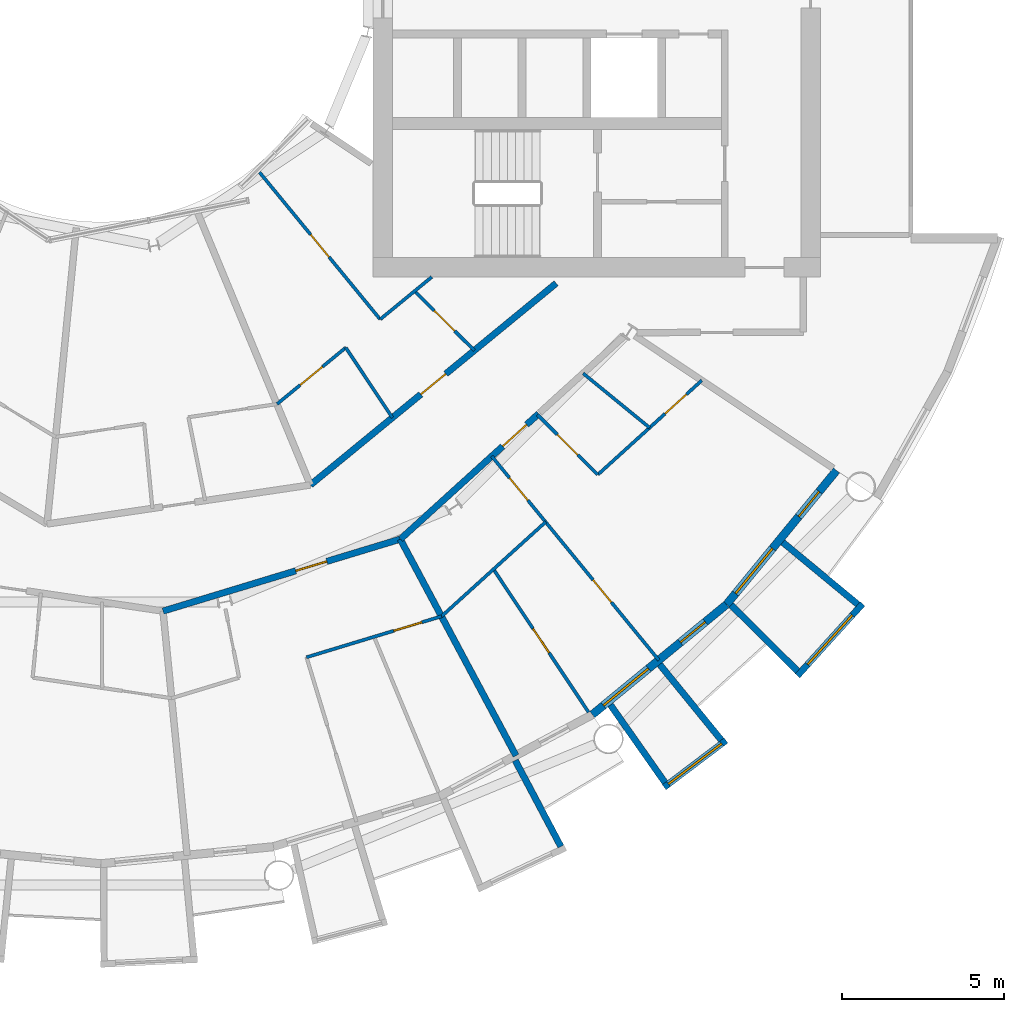
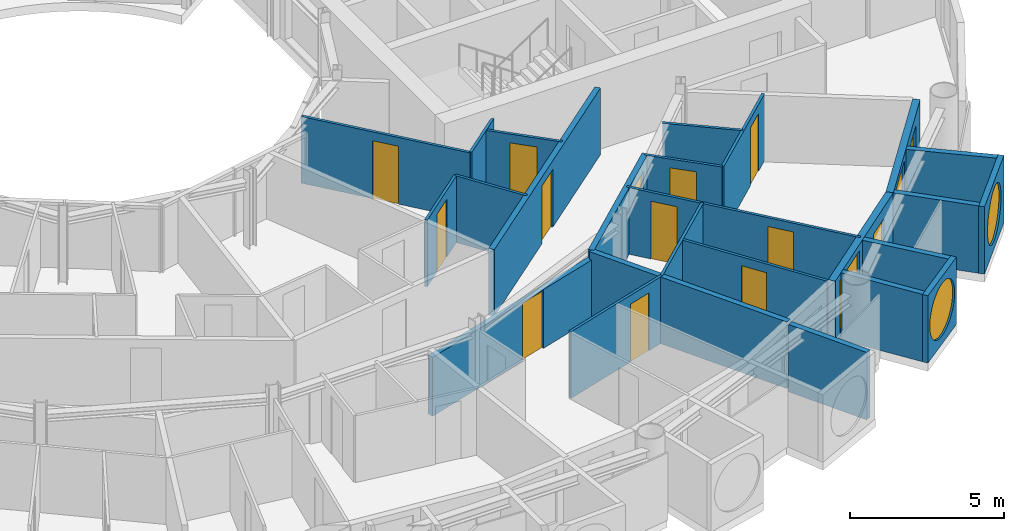
# One storey, part 17 of 27: 25 walls, 14 doors, 4 windows, 18 openings.
"""IFC4 building model written with IfcOpenShell, lengths in metres."""

from ifc_helpers import new_model, si_unit, direction, frame, frame_2d, origin, place, context, subcontext, project, spatial, rectangle, circle, extrude, material, layer, layer_set, type_object, element, fill, save


model = new_model("IFC4")

# Units and contexts
model_context = context("Model", 3, precision=1e-05, world=origin(), true_north=direction((0.0, 1.0)))
body_context = subcontext(model_context, "Body", "Model", "MODEL_VIEW")
ifc_project = project(units=[si_unit("LENGTHUNIT", "METRE"), si_unit("AREAUNIT", "SQUARE_METRE"), si_unit("VOLUMEUNIT", "CUBIC_METRE"), si_unit("PLANEANGLEUNIT", "RADIAN"), si_unit("MASSUNIT", "GRAM", prefix="KILO")], contexts=[model_context])

# Site, building, storey
site_placement = place(None, origin())
site = spatial("IfcSite", under=ifc_project, at=site_placement, CompositionType="ELEMENT")
building_placement = place(site_placement, origin())
building = spatial("IfcBuilding", under=site, at=building_placement, Name="Maasbend Ring Residences", CompositionType="ELEMENT")
storey_placement = place(building_placement, frame((0.0, 0.0, 136.050048828125)))
storey = spatial("IfcBuildingStorey", under=building, at=storey_placement, Name="L39", CompositionType="ELEMENT", Elevation=136.050048828125)

# Wall, opening, door
ifc_material_1 = material(Name="Concrete C30/37", Category="concrete")
ifc_layer_1 = layer(ifc_material_1, 0.199951171875)
ifc_layer_set_1 = layer_set([ifc_layer_1], Name="Concrete C30/37")
wall_type_1 = type_object("IfcWallType", Name="CORRIDOR WALL 200 CONCRETE", PredefinedType="PARTITIONING", material=ifc_layer_set_1)
wall_1_placement = place(storey_placement, frame((1.9208984375, -19.506103515625, 0.0), z_axis=(0.0, 0.0, 1.0), x_axis=(0.956929842753, 0.290319265721, 0.0)))
wall_1 = element("IfcWall", 1, at=wall_1_placement, inside=storey, type_object=wall_type_1, Name="U-L39-w011", PredefinedType="PARTITIONING", context=body_context, shape_type="SweptSolid", body=[
    extrude(rectangle(XDim=7.6474609375, YDim=0.199951171875, at=frame_2d((3.82373046875, 0.0))), origin(), (0.0, 0.0, 1.0), 2.33984375),
])
opening_1_placement = place(wall_1_placement, frame((4.280029296875, 0.0, 0.0)))
opening_1 = element("IfcOpeningElement", 2, at=opening_1_placement, cuts=wall_1, Name="Opening D-3949", PredefinedType="OPENING", context=body_context, shape_type="SweptSolid", body=[
    extrude(rectangle(XDim=1.0, YDim=2.300048828125, at=frame_2d((0.5, 1.14990234375))), frame((0.0, 0.10986328125, 0.0), z_axis=(0.0, -1.0, 0.0), x_axis=(1.0, 0.0, 0.0)), (0.0, 0.0, 1.0), 0.219970703125),
])
ifc_material_2 = material(Name="Timber, fire-rated, painted", Category="wood")
door_type_1 = type_object("IfcDoorType", Name="FLAT ENTRANCE DOOR 1000 X 2300 FIRE-RATED", OperationType="NOTDEFINED", PredefinedType="DOOR", material=ifc_material_2)
door_1_placement = place(opening_1_placement, origin())
door_1 = element("IfcDoor", 3, at=door_1_placement, inside=storey, type_object=door_type_1, Name="D-3949", OperationType="SINGLE_SWING_RIGHT", OverallHeight=2.300048828125, OverallWidth=1.0, PredefinedType="DOOR", context=body_context, shape_type="SweptSolid", body=[
    extrude(rectangle(XDim=1.0, YDim=2.300048828125, at=frame_2d((0.5, 1.14990234375))), frame((0.0, 0.02490234375, 0.0), z_axis=(0.0, -1.0, 0.0), x_axis=(1.0, 0.0, 0.0)), (0.0, 0.0, 1.0), 0.050048828125),
])
fill(opening_1, door_1)

wall_2_placement = place(storey_placement, frame((9.2490234375, -17.281982421875, 0.0), z_axis=(0.0, 0.0, 1.0), x_axis=(0.740525495356, 0.672028266316, 0.0)))
wall_2 = element("IfcWall", 4, at=wall_2_placement, inside=storey, type_object=wall_type_1, Name="U-L39-w013", PredefinedType="PARTITIONING", context=body_context, shape_type="SweptSolid", body=[
    extrude(rectangle(XDim=5.752685546875, YDim=0.199951171875, at=frame_2d((2.87646484375, 0.0))), origin(), (0.0, 0.0, 1.0), 2.64990234375),
])
opening_2_placement = place(wall_2_placement, frame((4.2529296875, 0.0, 0.0)))
opening_2 = element("IfcOpeningElement", 5, at=opening_2_placement, cuts=wall_2, Name="Opening D-3953", PredefinedType="OPENING", context=body_context, shape_type="SweptSolid", body=[
    extrude(rectangle(XDim=1.0, YDim=2.300048828125, at=frame_2d((0.5, 1.14990234375))), frame((0.0, 0.10986328125, 0.0), z_axis=(0.0, -1.0, 0.0), x_axis=(1.0, 0.0, 0.0)), (0.0, 0.0, 1.0), 0.219970703125),
])
door_2_placement = place(opening_2_placement, origin())
door_2 = element("IfcDoor", 6, at=door_2_placement, inside=storey, type_object=door_type_1, Name="D-3953", OperationType="SINGLE_SWING_RIGHT", OverallHeight=2.300048828125, OverallWidth=1.0, PredefinedType="DOOR", context=body_context, shape_type="SweptSolid", body=[
    extrude(rectangle(XDim=1.0, YDim=2.300048828125, at=frame_2d((0.5, 1.14990234375))), frame((0.0, 0.02490234375, 0.0), z_axis=(0.0, -1.0, 0.0), x_axis=(1.0, 0.0, 0.0)), (0.0, 0.0, 1.0), 0.050048828125),
])
fill(opening_2, door_2)

wall_3_placement = place(storey_placement, frame((6.467041015625, -15.614013671875, 0.0), z_axis=(0.0, 0.0, 1.0), x_axis=(0.773074935257, 0.634314704605, 0.0)))
wall_3 = element("IfcWall", 7, at=wall_3_placement, inside=storey, type_object=wall_type_1, Name="U-L39-w017", PredefinedType="PARTITIONING", context=body_context, shape_type="SweptSolid", body=[
    extrude(rectangle(XDim=9.808837890625, YDim=0.199951171875, at=frame_2d((4.904296875, 0.0))), origin(), (0.0, 0.0, 1.0), 2.64990234375),
])
opening_3_placement = place(wall_3_placement, frame((4.406982421875, 0.0, 0.0)))
opening_3 = element("IfcOpeningElement", 8, at=opening_3_placement, cuts=wall_3, Name="Opening D-3967", PredefinedType="OPENING", context=body_context, shape_type="SweptSolid", body=[
    extrude(rectangle(XDim=1.0, YDim=2.300048828125, at=frame_2d((0.5, 1.14990234375))), frame((0.0, 0.10986328125, 0.0), z_axis=(0.0, -1.0, 0.0), x_axis=(1.0, 0.0, 0.0)), (0.0, 0.0, 1.0), 0.219970703125),
])
door_3_placement = place(opening_3_placement, origin())
door_3 = element("IfcDoor", 9, at=door_3_placement, inside=storey, type_object=door_type_1, Name="D-3967", OperationType="SINGLE_SWING_RIGHT", OverallHeight=2.300048828125, OverallWidth=1.0, PredefinedType="DOOR", context=body_context, shape_type="SweptSolid", body=[
    extrude(rectangle(XDim=1.0, YDim=2.300048828125, at=frame_2d((0.5, 1.14990234375))), frame((0.0, 0.02490234375, 0.0), z_axis=(0.0, -1.0, 0.0), x_axis=(1.0, 0.0, 0.0)), (0.0, 0.0, 1.0), 0.050048828125),
])
fill(opening_3, door_3)

# Wall
ifc_material_3 = material(Name="Pale anodised aluminium panel", Category="aluminium")
ifc_layer_2 = layer(ifc_material_3, 0.199951171875)
ifc_layer_set_2 = layer_set([ifc_layer_2], Name="EW-BOX")
wall_type_2 = type_object("IfcWallType", Name="EW-BOX", PredefinedType="SOLIDWALL", material=ifc_layer_set_2)
wall_4_placement = place(storey_placement, frame((12.787109375, -24.113037109375, -0.030029296875), z_axis=(0.0, 0.0, 1.0), x_axis=(0.468365282436, -0.883534924159, 0.0)))
element("IfcWall", 10, at=wall_4_placement, inside=storey, type_object=wall_type_2, Name="Box side wall S15 right", PredefinedType="SOLIDWALL", context=body_context, shape_type="SweptSolid", body=[
    extrude(rectangle(XDim=3.006103515625, YDim=0.199951171875, at=frame_2d((1.5029296875, 0.0))), origin(), (0.0, 0.0, 1.0), 2.679931640625),
])

# Wall, opening, window
wall_5_placement = place(storey_placement, frame((17.382080078125, -24.93994140625, -0.030029296875), z_axis=(0.0, 0.0, 1.0), x_axis=(0.797456837111, 0.603375996329, 0.0)))
wall_5 = element("IfcWall", 11, at=wall_5_placement, inside=storey, type_object=wall_type_2, Name="Box front S17", PredefinedType="SOLIDWALL", context=body_context, shape_type="SweptSolid", body=[
    extrude(rectangle(XDim=2.391357421875, YDim=0.199951171875, at=frame_2d((1.19580078125, 0.0))), origin(), (0.0, 0.0, 1.0), 2.679931640625),
])
opening_4_placement = place(wall_5_placement, frame((0.15576171875, 0.0, 0.330078125)))
opening_4 = element("IfcOpeningElement", 12, at=opening_4_placement, cuts=wall_5, Name="Opening W-RD", PredefinedType="OPENING", context=body_context, shape_type="SweptSolid", body=[
    extrude(circle(Radius=1.0400390625, at=frame_2d((1.0400390625, 1.0400390625))), frame((0.0, 0.10986328125, 0.0), z_axis=(0.0, -1.0, 0.0), x_axis=(1.0, 0.0, 0.0)), (0.0, 0.0, 1.0), 0.219970703125),
])
ifc_material_4 = material(Name="Aluminium and clear glass", Category="aluminium")
window_type_1 = type_object("IfcWindowType", Name="W-RD", PartitioningType="SINGLE_PANEL", PredefinedType="WINDOW", material=ifc_material_4)
window_1_placement = place(opening_4_placement, origin())
window_1 = element("IfcWindow", 13, at=window_1_placement, inside=storey, type_object=window_type_1, Name="Round window S17", OverallHeight=2.080078125, OverallWidth=2.080078125, PartitioningType="SINGLE_PANEL", PredefinedType="WINDOW", context=body_context, shape_type="SweptSolid", body=[
    extrude(circle(Radius=1.0400390625, at=frame_2d((1.0400390625, 1.0400390625))), frame((0.0, 0.030029296875, 0.0), z_axis=(0.0, -1.0, 0.0), x_axis=(1.0, 0.0, 0.0)), (0.0, 0.0, 1.0), 0.06005859375),
])
fill(opening_4, window_1)

# Walls
wall_6_placement = place(storey_placement, frame((15.72607421875, -22.402099609375, -0.030029296875), z_axis=(0.0, 0.0, 1.0), x_axis=(0.574826383135, -0.818275399393, 0.0)))
element("IfcWall", 14, at=wall_6_placement, inside=storey, type_object=wall_type_2, Name="Box side wall S17 left", PredefinedType="SOLIDWALL", context=body_context, shape_type="SweptSolid", body=[
    extrude(rectangle(XDim=2.92919921875, YDim=0.199951171875, at=frame_2d((1.464599609375, 0.0))), origin(), (0.0, 0.0, 1.0), 2.679931640625),
])
wall_7_placement = place(storey_placement, frame((17.24609375, -21.155029296875, -0.030029296875), z_axis=(0.0, 0.0, 1.0), x_axis=(0.631741648902, -0.775179004516, 0.0)))
element("IfcWall", 15, at=wall_7_placement, inside=storey, type_object=wall_type_2, Name="Box side wall S17 right", PredefinedType="SOLIDWALL", context=body_context, shape_type="SweptSolid", body=[
    extrude(rectangle(XDim=3.005859375, YDim=0.199951171875, at=frame_2d((1.5029296875, 0.0))), origin(), (0.0, 0.0, 1.0), 2.679931640625),
])

# Wall, opening, window
wall_8_placement = place(storey_placement, frame((21.492919921875, -21.5, -0.030029296875), z_axis=(0.0, 0.0, 1.0), x_axis=(0.671506829416, 0.740998365753, 0.0)))
wall_8 = element("IfcWall", 16, at=wall_8_placement, inside=storey, type_object=wall_type_2, Name="Box front S19", PredefinedType="SOLIDWALL", context=body_context, shape_type="SweptSolid", body=[
    extrude(rectangle(XDim=2.9931640625, YDim=0.199951171875, at=frame_2d((1.49658203125, 0.0))), origin(), (0.0, 0.0, 1.0), 2.679931640625),
])
opening_5_placement = place(wall_8_placement, frame((0.45654296875, 0.0, 0.330078125)))
opening_5 = element("IfcOpeningElement", 17, at=opening_5_placement, cuts=wall_8, Name="Opening W-RD", PredefinedType="OPENING", context=body_context, shape_type="SweptSolid", body=[
    extrude(circle(Radius=1.0400390625, at=frame_2d((1.0400390625, 1.0400390625))), frame((0.0, 0.10986328125, 0.0), z_axis=(0.0, -1.0, 0.0), x_axis=(1.0, 0.0, 0.0)), (0.0, 0.0, 1.0), 0.219970703125),
])
window_2_placement = place(opening_5_placement, origin())
window_2 = element("IfcWindow", 18, at=window_2_placement, inside=storey, type_object=window_type_1, Name="Round window S19", OverallHeight=2.080078125, OverallWidth=2.080078125, PartitioningType="SINGLE_PANEL", PredefinedType="WINDOW", context=body_context, shape_type="SweptSolid", body=[
    extrude(circle(Radius=1.0400390625, at=frame_2d((1.0400390625, 1.0400390625))), frame((0.0, 0.030029296875, 0.0), z_axis=(0.0, -1.0, 0.0), x_axis=(1.0, 0.0, 0.0)), (0.0, 0.0, 1.0), 0.06005859375),
])
fill(opening_5, window_2)

# Walls
wall_9_placement = place(storey_placement, frame((19.449951171875, -19.322998046875, -0.030029296875), z_axis=(0.0, 0.0, 1.0), x_axis=(0.709727076896, -0.704476739375, 0.0)))
element("IfcWall", 19, at=wall_9_placement, inside=storey, type_object=wall_type_2, Name="Box side wall S19 left", PredefinedType="SOLIDWALL", context=body_context, shape_type="SweptSolid", body=[
    extrude(rectangle(XDim=2.883056640625, YDim=0.199951171875, at=frame_2d((1.44140625, 0.0))), origin(), (0.0, 0.0, 1.0), 2.679931640625),
])
wall_10_placement = place(storey_placement, frame((21.041015625, -17.384033203125, -0.030029296875), z_axis=(0.0, 0.0, 1.0), x_axis=(0.770784861449, -0.63709551667, 0.0)))
element("IfcWall", 20, at=wall_10_placement, inside=storey, type_object=wall_type_2, Name="Box side wall S19 right", PredefinedType="SOLIDWALL", context=body_context, shape_type="SweptSolid", body=[
    extrude(rectangle(XDim=3.005859375, YDim=0.199951171875, at=frame_2d((1.5029296875, 0.0))), origin(), (0.0, 0.0, 1.0), 2.679931640625),
])

# Wall, openings, door, window
ifc_material_5 = material(Name="Aluminium clad insulated panel", Category="aluminium")
ifc_layer_3 = layer(ifc_material_5, 0.25)
ifc_layer_set_3 = layer_set([ifc_layer_3], Name="EW-GL")
wall_type_3 = type_object("IfcWallType", Name="EW-GL", PredefinedType="SOLIDWALL", material=ifc_layer_set_3)
wall_11_placement = place(storey_placement, frame((15.1669921875, -22.698974609375, 0.0), z_axis=(0.0, 0.0, 1.0), x_axis=(0.773019449054, 0.634382322723, 0.0)))
wall_11 = element("IfcWall", 21, at=wall_11_placement, inside=storey, type_object=wall_type_3, Name="External wall S09", PredefinedType="SOLIDWALL", context=body_context, shape_type="SweptSolid", body=[
    extrude(rectangle(XDim=5.351806640625, YDim=0.25, at=frame_2d((2.67578125, 0.0))), origin(), (0.0, 0.0, 1.0), 2.64990234375),
])
opening_6_placement = place(wall_11_placement, frame((0.441162109375, 0.0, 0.300048828125)))
opening_6 = element("IfcOpeningElement", 22, at=opening_6_placement, cuts=wall_11, Name="Opening W-BX", PredefinedType="OPENING", context=body_context, shape_type="SweptSolid", body=[
    extrude(rectangle(XDim=1.800048828125, YDim=2.10009765625, at=frame_2d((0.89990234375, 1.050048828125))), frame((0.0, 0.135009765625, 0.0), z_axis=(0.0, -1.0, 0.0), x_axis=(1.0, 0.0, 0.0)), (0.0, 0.0, 1.0), 0.27001953125),
])
opening_7_placement = place(wall_11_placement, frame((3.510498046875, 0.0, 0.0)))
opening_7 = element("IfcOpeningElement", 23, at=opening_7_placement, cuts=wall_11, Name="Opening D-LG", PredefinedType="OPENING", context=body_context, shape_type="SweptSolid", body=[
    extrude(rectangle(XDim=1.0, YDim=2.199951171875, at=frame_2d((0.5, 1.10009765625))), frame((0.0, 0.135009765625, 0.0), z_axis=(0.0, -1.0, 0.0), x_axis=(1.0, 0.0, 0.0)), (0.0, 0.0, 1.0), 0.27001953125),
])
ifc_material_6 = material(Name="Aluminium and clear glass", Category="aluminium")
door_type_2 = type_object("IfcDoorType", Name="D-LG", OperationType="SINGLE_SWING_LEFT", PredefinedType="DOOR", material=ifc_material_6)
door_4_placement = place(opening_7_placement, origin())
door_4 = element("IfcDoor", 24, at=door_4_placement, inside=storey, type_object=door_type_2, Name="Loggia door S18", OperationType="SINGLE_SWING_LEFT", OverallHeight=2.199951171875, OverallWidth=1.0, PredefinedType="DOOR", context=body_context, shape_type="SweptSolid", body=[
    extrude(rectangle(XDim=1.0, YDim=2.199951171875, at=frame_2d((0.5, 1.10009765625))), frame((0.0, 0.02490234375, 0.0), z_axis=(0.0, -1.0, 0.0), x_axis=(1.0, 0.0, 0.0)), (0.0, 0.0, 1.0), 0.050048828125),
])
fill(opening_7, door_4)
ifc_material_7 = material(Name="Aluminium and clear glass", Category="aluminium")
window_type_2 = type_object("IfcWindowType", Name="W-BX", PartitioningType="DOUBLE_PANEL_VERTICAL", PredefinedType="WINDOW", material=ifc_material_7)
window_3_placement = place(opening_6_placement, origin())
window_3 = element("IfcWindow", 25, at=window_3_placement, inside=storey, type_object=window_type_2, Name="Window S17 room to box", OverallHeight=2.10009765625, OverallWidth=1.800048828125, PartitioningType="SINGLE_PANEL", PredefinedType="WINDOW", context=body_context, shape_type="SweptSolid", body=[
    extrude(rectangle(XDim=1.800048828125, YDim=2.10009765625, at=frame_2d((0.89990234375, 1.050048828125))), frame((0.0, 0.030029296875, 0.0), z_axis=(0.0, -1.0, 0.0), x_axis=(1.0, 0.0, 0.0)), (0.0, 0.0, 1.0), 0.06005859375),
])
fill(opening_6, window_3)

wall_12_placement = place(storey_placement, frame((19.303955078125, -19.303955078125, 0.0), z_axis=(0.0, 0.0, 1.0), x_axis=(0.634382322723, 0.773019449054, 0.0)))
wall_12 = element("IfcWall", 26, at=wall_12_placement, inside=storey, type_object=wall_type_3, Name="External wall S10", PredefinedType="SOLIDWALL", context=body_context, shape_type="SweptSolid", body=[
    extrude(rectangle(XDim=5.351806640625, YDim=0.25, at=frame_2d((2.67578125, 0.0))), origin(), (0.0, 0.0, 1.0), 2.64990234375),
])
opening_8_placement = place(wall_12_placement, frame((0.441162109375, 0.0, 0.300048828125)))
opening_8 = element("IfcOpeningElement", 27, at=opening_8_placement, cuts=wall_12, Name="Opening W-BX", PredefinedType="OPENING", context=body_context, shape_type="SweptSolid", body=[
    extrude(rectangle(XDim=1.800048828125, YDim=2.10009765625, at=frame_2d((0.89990234375, 1.050048828125))), frame((0.0, 0.135009765625, 0.0), z_axis=(0.0, -1.0, 0.0), x_axis=(1.0, 0.0, 0.0)), (0.0, 0.0, 1.0), 0.27001953125),
])
opening_9_placement = place(wall_12_placement, frame((3.510498046875, 0.0, 0.0)))
opening_9 = element("IfcOpeningElement", 28, at=opening_9_placement, cuts=wall_12, Name="Opening D-LG", PredefinedType="OPENING", context=body_context, shape_type="SweptSolid", body=[
    extrude(rectangle(XDim=1.0, YDim=2.199951171875, at=frame_2d((0.5, 1.10009765625))), frame((0.0, 0.135009765625, 0.0), z_axis=(0.0, -1.0, 0.0), x_axis=(1.0, 0.0, 0.0)), (0.0, 0.0, 1.0), 0.27001953125),
])
door_5_placement = place(opening_9_placement, origin())
door_5 = element("IfcDoor", 29, at=door_5_placement, inside=storey, type_object=door_type_2, Name="Loggia door S20", OperationType="SINGLE_SWING_LEFT", OverallHeight=2.199951171875, OverallWidth=1.0, PredefinedType="DOOR", context=body_context, shape_type="SweptSolid", body=[
    extrude(rectangle(XDim=1.0, YDim=2.199951171875, at=frame_2d((0.5, 1.10009765625))), frame((0.0, 0.02490234375, 0.0), z_axis=(0.0, -1.0, 0.0), x_axis=(1.0, 0.0, 0.0)), (0.0, 0.0, 1.0), 0.050048828125),
])
fill(opening_9, door_5)
window_4_placement = place(opening_8_placement, origin())
window_4 = element("IfcWindow", 30, at=window_4_placement, inside=storey, type_object=window_type_2, Name="Window S19 room to box", OverallHeight=2.10009765625, OverallWidth=1.800048828125, PartitioningType="SINGLE_PANEL", PredefinedType="WINDOW", context=body_context, shape_type="SweptSolid", body=[
    extrude(rectangle(XDim=1.800048828125, YDim=2.10009765625, at=frame_2d((0.89990234375, 1.050048828125))), frame((0.0, 0.030029296875, 0.0), z_axis=(0.0, -1.0, 0.0), x_axis=(1.0, 0.0, 0.0)), (0.0, 0.0, 1.0), 0.06005859375),
])
fill(opening_8, window_4)

# Wall, opening, door
ifc_material_8 = material(Name="Gypsum board on steel studs", Category="steel")
ifc_layer_4 = layer(ifc_material_8, 0.10009765625)
ifc_layer_set_4 = layer_set([ifc_layer_4], Name="PARTITION 100 GYPSUM")
wall_type_4 = type_object("IfcWallType", Name="PARTITION 100 GYPSUM", PredefinedType="PARTITIONING", material=ifc_layer_set_4)
wall_13_placement = place(storey_placement, frame((6.345947265625, -20.930908203125, 0.0), z_axis=(0.0, 0.0, 1.0), x_axis=(0.956923957423, 0.290338663821, 0.0)))
wall_13 = element("IfcWall", 31, at=wall_13_placement, inside=storey, type_object=wall_type_4, Name="U-L39-w002", PredefinedType="PARTITIONING", context=body_context, shape_type="SweptSolid", body=[
    extrude(rectangle(XDim=4.356689453125, YDim=0.10009765625, at=frame_2d((2.17822265625, 0.0))), origin(), (0.0, 0.0, 1.0), 2.64990234375),
])
opening_10_placement = place(wall_13_placement, frame((2.818115234375, 0.0, 0.0)))
opening_10 = element("IfcOpeningElement", 32, at=opening_10_placement, cuts=wall_13, Name="Opening D-3952", PredefinedType="OPENING", context=body_context, shape_type="SweptSolid", body=[
    extrude(rectangle(XDim=0.89990234375, YDim=2.300048828125, at=frame_2d((0.449951171875, 1.14990234375))), frame((0.0, 0.06005859375, 0.0), z_axis=(0.0, -1.0, 0.0), x_axis=(1.0, 0.0, 0.0)), (0.0, 0.0, 1.0), 0.1201171875),
])
ifc_material_9 = material(Name="Timber, painted", Category="wood")
door_type_3 = type_object("IfcDoorType", Name="INTERNAL DOOR 900 X 2300", OperationType="NOTDEFINED", PredefinedType="DOOR", material=ifc_material_9)
door_6_placement = place(opening_10_placement, origin())
door_6 = element("IfcDoor", 33, at=door_6_placement, inside=storey, type_object=door_type_3, Name="D-3952", OperationType="SINGLE_SWING_RIGHT", OverallHeight=2.300048828125, OverallWidth=0.89990234375, PredefinedType="DOOR", context=body_context, shape_type="SweptSolid", body=[
    extrude(rectangle(XDim=0.89990234375, YDim=2.300048828125, at=frame_2d((0.449951171875, 1.14990234375))), frame((0.0, 0.02490234375, 0.0), z_axis=(0.0, -1.0, 0.0), x_axis=(1.0, 0.0, 0.0)), (0.0, 0.0, 1.0), 0.050048828125),
])
fill(opening_10, door_6)

# Wall
wall_14_placement = place(storey_placement, frame((10.512939453125, -19.66796875, 0.0), z_axis=(0.0, 0.0, 1.0), x_axis=(0.74092137325, 0.671591779775, 0.0)))
element("IfcWall", 34, at=wall_14_placement, inside=storey, type_object=wall_type_4, Name="U-L39-w007", PredefinedType="PARTITIONING", context=body_context, shape_type="SweptSolid", body=[
    extrude(rectangle(XDim=4.342041015625, YDim=0.10009765625, at=frame_2d((2.1708984375, 0.0))), origin(), (0.0, 0.0, 1.0), 2.64990234375),
])

# Wall, opening, door
wall_15_placement = place(storey_placement, frame((15.3359375, -15.2958984375, 0.0), z_axis=(0.0, 0.0, 1.0), x_axis=(0.740895789277, 0.671620003746, 0.0)))
wall_15 = element("IfcWall", 35, at=wall_15_placement, inside=storey, type_object=wall_type_4, Name="U-L39-w008", PredefinedType="PARTITIONING", context=body_context, shape_type="SweptSolid", body=[
    extrude(rectangle(XDim=4.331298828125, YDim=0.10009765625, at=frame_2d((2.16552734375, 0.0))), origin(), (0.0, 0.0, 1.0), 2.64990234375),
])
opening_11_placement = place(wall_15_placement, frame((2.7958984375, 0.0, 0.0)))
opening_11 = element("IfcOpeningElement", 36, at=opening_11_placement, cuts=wall_15, Name="Opening D-3954", PredefinedType="OPENING", context=body_context, shape_type="SweptSolid", body=[
    extrude(rectangle(XDim=0.89990234375, YDim=2.300048828125, at=frame_2d((0.449951171875, 1.14990234375))), frame((0.0, 0.06005859375, 0.0), z_axis=(0.0, -1.0, 0.0), x_axis=(1.0, 0.0, 0.0)), (0.0, 0.0, 1.0), 0.1201171875),
])
door_7_placement = place(opening_11_placement, origin())
door_7 = element("IfcDoor", 37, at=door_7_placement, inside=storey, type_object=door_type_3, Name="D-3954", OperationType="SINGLE_SWING_RIGHT", OverallHeight=2.300048828125, OverallWidth=0.89990234375, PredefinedType="DOOR", context=body_context, shape_type="SweptSolid", body=[
    extrude(rectangle(XDim=0.89990234375, YDim=2.300048828125, at=frame_2d((0.449951171875, 1.14990234375))), frame((0.0, 0.02490234375, 0.0), z_axis=(0.0, -1.0, 0.0), x_axis=(1.0, 0.0, 0.0)), (0.0, 0.0, 1.0), 0.050048828125),
])
fill(opening_11, door_7)

wall_16_placement = place(storey_placement, frame((5.43994140625, -13.116943359375, 0.0), z_axis=(0.0, 0.0, 1.0), x_axis=(0.772732480827, 0.634731843439, 0.0)))
wall_16 = element("IfcWall", 38, at=wall_16_placement, inside=storey, type_object=wall_type_4, Name="U-L39-w021", PredefinedType="PARTITIONING", context=body_context, shape_type="SweptSolid", body=[
    extrude(rectangle(XDim=2.74755859375, YDim=0.10009765625, at=frame_2d((1.373779296875, 0.0))), origin(), (0.0, 0.0, 1.0), 2.64990234375),
])
opening_12_placement = place(wall_16_placement, frame((0.91796875, 0.0, 0.0)))
opening_12 = element("IfcOpeningElement", 39, at=opening_12_placement, cuts=wall_16, Name="Opening D-3968", PredefinedType="OPENING", context=body_context, shape_type="SweptSolid", body=[
    extrude(rectangle(XDim=0.89990234375, YDim=2.300048828125, at=frame_2d((0.449951171875, 1.14990234375))), frame((0.0, 0.06005859375, 0.0), z_axis=(0.0, -1.0, 0.0), x_axis=(1.0, 0.0, 0.0)), (0.0, 0.0, 1.0), 0.1201171875),
])
door_8_placement = place(opening_12_placement, origin())
door_8 = element("IfcDoor", 40, at=door_8_placement, inside=storey, type_object=door_type_3, Name="D-3968", OperationType="SINGLE_SWING_LEFT", OverallHeight=2.300048828125, OverallWidth=0.89990234375, PredefinedType="DOOR", context=body_context, shape_type="SweptSolid", body=[
    extrude(rectangle(XDim=0.89990234375, YDim=2.300048828125, at=frame_2d((0.449951171875, 1.14990234375))), frame((0.0, 0.02490234375, 0.0), z_axis=(0.0, -1.0, 0.0), x_axis=(1.0, 0.0, 0.0)), (0.0, 0.0, 1.0), 0.050048828125),
])
fill(opening_12, door_8)

# Wall
wall_17_placement = place(storey_placement, frame((8.625, -10.5009765625, 0.0), z_axis=(0.0, 0.0, 1.0), x_axis=(0.772817828959, 0.634627925042, 0.0)))
element("IfcWall", 41, at=wall_17_placement, inside=storey, type_object=wall_type_4, Name="U-L39-w022", PredefinedType="PARTITIONING", context=body_context, shape_type="SweptSolid", body=[
    extrude(rectangle(XDim=2.0546875, YDim=0.10009765625, at=frame_2d((1.02734375, 0.0))), origin(), (0.0, 0.0, 1.0), 2.64990234375),
])

# Wall, opening, door
wall_18_placement = place(storey_placement, frame((4.89794921875, -5.968017578125, 0.0), z_axis=(0.0, 0.0, 1.0), x_axis=(0.634358693064, -0.773038840249, 0.0)))
wall_18 = element("IfcWall", 42, at=wall_18_placement, inside=storey, type_object=wall_type_4, Name="U-L39-w074", PredefinedType="PARTITIONING", context=body_context, shape_type="SweptSolid", body=[
    extrude(rectangle(XDim=5.86767578125, YDim=0.10009765625, at=frame_2d((2.933837890625, 0.0))), origin(), (0.0, 0.0, 1.0), 2.64990234375),
])
opening_13_placement = place(wall_18_placement, frame((2.48388671875, 0.0, 0.0)))
opening_13 = element("IfcOpeningElement", 43, at=opening_13_placement, cuts=wall_18, Name="Opening D-3970", PredefinedType="OPENING", context=body_context, shape_type="SweptSolid", body=[
    extrude(rectangle(XDim=0.89990234375, YDim=2.300048828125, at=frame_2d((0.449951171875, 1.14990234375))), frame((0.0, 0.06005859375, 0.0), z_axis=(0.0, -1.0, 0.0), x_axis=(1.0, 0.0, 0.0)), (0.0, 0.0, 1.0), 0.1201171875),
])
door_9_placement = place(opening_13_placement, origin())
door_9 = element("IfcDoor", 44, at=door_9_placement, inside=storey, type_object=door_type_3, Name="D-3970", OperationType="SINGLE_SWING_LEFT", OverallHeight=2.300048828125, OverallWidth=0.89990234375, PredefinedType="DOOR", context=body_context, shape_type="SweptSolid", body=[
    extrude(rectangle(XDim=0.89990234375, YDim=2.300048828125, at=frame_2d((0.449951171875, 1.14990234375))), frame((0.0, 0.02490234375, 0.0), z_axis=(0.0, -1.0, 0.0), x_axis=(1.0, 0.0, 0.0)), (0.0, 0.0, 1.0), 0.050048828125),
])
fill(opening_13, door_9)

# Wall
wall_19_placement = place(storey_placement, frame((7.55810546875, -11.3759765625, 0.0), z_axis=(0.0, 0.0, 1.0), x_axis=(0.553615197403, -0.83277260594, 0.0)))
element("IfcWall", 45, at=wall_19_placement, inside=storey, type_object=wall_type_4, Name="U-L39-w078", PredefinedType="PARTITIONING", context=body_context, shape_type="SweptSolid", body=[
    extrude(rectangle(XDim=2.597412109375, YDim=0.10009765625, at=frame_2d((1.298828125, 0.0))), origin(), (0.0, 0.0, 1.0), 2.64990234375),
])

# Wall, opening, door
wall_20_placement = place(storey_placement, frame((9.68310546875, -9.632080078125, 0.0), z_axis=(0.0, 0.0, 1.0), x_axis=(0.708796844581, -0.705412668665, 0.0)))
wall_20 = element("IfcWall", 46, at=wall_20_placement, inside=storey, type_object=wall_type_4, Name="U-L39-w084", PredefinedType="PARTITIONING", context=body_context, shape_type="SweptSolid", body=[
    extrude(rectangle(XDim=2.59716796875, YDim=0.10009765625, at=frame_2d((1.298583984375, 0.0))), origin(), (0.0, 0.0, 1.0), 2.64990234375),
])
opening_14_placement = place(wall_20_placement, frame((0.84912109375, 0.0, 0.0)))
opening_14 = element("IfcOpeningElement", 47, at=opening_14_placement, cuts=wall_20, Name="Opening D-3969", PredefinedType="OPENING", context=body_context, shape_type="SweptSolid", body=[
    extrude(rectangle(XDim=0.89990234375, YDim=2.300048828125, at=frame_2d((0.449951171875, 1.14990234375))), frame((0.0, 0.06005859375, 0.0), z_axis=(0.0, -1.0, 0.0), x_axis=(1.0, 0.0, 0.0)), (0.0, 0.0, 1.0), 0.1201171875),
])
door_10_placement = place(opening_14_placement, origin())
door_10 = element("IfcDoor", 48, at=door_10_placement, inside=storey, type_object=door_type_3, Name="D-3969", OperationType="SINGLE_SWING_RIGHT", OverallHeight=2.300048828125, OverallWidth=0.89990234375, PredefinedType="DOOR", context=body_context, shape_type="SweptSolid", body=[
    extrude(rectangle(XDim=0.89990234375, YDim=2.300048828125, at=frame_2d((0.449951171875, 1.14990234375))), frame((0.0, 0.02490234375, 0.0), z_axis=(0.0, -1.0, 0.0), x_axis=(1.0, 0.0, 0.0)), (0.0, 0.0, 1.0), 0.050048828125),
])
fill(opening_14, door_10)

# Wall, openings, doors
wall_21_placement = place(storey_placement, frame((12.06201171875, -14.72705078125, 0.0), z_axis=(0.0, 0.0, 1.0), x_axis=(0.633664062855, -0.773608334654, 0.0)))
wall_21 = element("IfcWall", 49, at=wall_21_placement, inside=storey, type_object=wall_type_4, Name="U-L39-w086", PredefinedType="PARTITIONING", context=body_context, shape_type="SweptSolid", body=[
    extrude(rectangle(XDim=8.138427734375, YDim=0.10009765625, at=frame_2d((4.0693359375, 0.0))), origin(), (0.0, 0.0, 1.0), 2.64990234375),
])
opening_15_placement = place(wall_21_placement, frame((0.861083984375, 0.0, 0.0)))
opening_15 = element("IfcOpeningElement", 50, at=opening_15_placement, cuts=wall_21, Name="Opening D-3956", PredefinedType="OPENING", context=body_context, shape_type="SweptSolid", body=[
    extrude(rectangle(XDim=0.89990234375, YDim=2.300048828125, at=frame_2d((0.449951171875, 1.14990234375))), frame((0.0, 0.06005859375, 0.0), z_axis=(0.0, -1.0, 0.0), x_axis=(1.0, 0.0, 0.0)), (0.0, 0.0, 1.0), 0.1201171875),
])
opening_16_placement = place(wall_21_placement, frame((4.930908203125, 0.0, 0.0)))
opening_16 = element("IfcOpeningElement", 51, at=opening_16_placement, cuts=wall_21, Name="Opening D-3957", PredefinedType="OPENING", context=body_context, shape_type="SweptSolid", body=[
    extrude(rectangle(XDim=0.89990234375, YDim=2.300048828125, at=frame_2d((0.449951171875, 1.14990234375))), frame((0.0, 0.06005859375, 0.0), z_axis=(0.0, -1.0, 0.0), x_axis=(1.0, 0.0, 0.0)), (0.0, 0.0, 1.0), 0.1201171875),
])
door_11_placement = place(opening_15_placement, origin())
door_11 = element("IfcDoor", 52, at=door_11_placement, inside=storey, type_object=door_type_3, Name="D-3956", OperationType="SINGLE_SWING_LEFT", OverallHeight=2.300048828125, OverallWidth=0.89990234375, PredefinedType="DOOR", context=body_context, shape_type="SweptSolid", body=[
    extrude(rectangle(XDim=0.89990234375, YDim=2.300048828125, at=frame_2d((0.449951171875, 1.14990234375))), frame((0.0, 0.02490234375, 0.0), z_axis=(0.0, -1.0, 0.0), x_axis=(1.0, 0.0, 0.0)), (0.0, 0.0, 1.0), 0.050048828125),
])
fill(opening_15, door_11)
door_12_placement = place(opening_16_placement, origin())
door_12 = element("IfcDoor", 53, at=door_12_placement, inside=storey, type_object=door_type_3, Name="D-3957", OperationType="SINGLE_SWING_RIGHT", OverallHeight=2.300048828125, OverallWidth=0.89990234375, PredefinedType="DOOR", context=body_context, shape_type="SweptSolid", body=[
    extrude(rectangle(XDim=0.89990234375, YDim=2.300048828125, at=frame_2d((0.449951171875, 1.14990234375))), frame((0.0, 0.02490234375, 0.0), z_axis=(0.0, -1.0, 0.0), x_axis=(1.0, 0.0, 0.0)), (0.0, 0.0, 1.0), 0.050048828125),
])
fill(opening_16, door_12)

# Wall, opening, door
wall_22_placement = place(storey_placement, frame((12.114990234375, -18.212890625, 0.0), z_axis=(0.0, 0.0, 1.0), x_axis=(0.553913391217, -0.832574294, 0.0)))
wall_22 = element("IfcWall", 54, at=wall_22_placement, inside=storey, type_object=wall_type_4, Name="U-L39-w088", PredefinedType="PARTITIONING", context=body_context, shape_type="SweptSolid", body=[
    extrude(rectangle(XDim=5.300537109375, YDim=0.10009765625, at=frame_2d((2.650390625, 0.0))), origin(), (0.0, 0.0, 1.0), 2.64990234375),
])
opening_17_placement = place(wall_22_placement, frame((2.199951171875, 0.0, 0.0)))
opening_17 = element("IfcOpeningElement", 55, at=opening_17_placement, cuts=wall_22, Name="Opening D-3958", PredefinedType="OPENING", context=body_context, shape_type="SweptSolid", body=[
    extrude(rectangle(XDim=0.89990234375, YDim=2.300048828125, at=frame_2d((0.449951171875, 1.14990234375))), frame((0.0, 0.06005859375, 0.0), z_axis=(0.0, -1.0, 0.0), x_axis=(1.0, 0.0, 0.0)), (0.0, 0.0, 1.0), 0.1201171875),
])
door_13_placement = place(opening_17_placement, origin())
door_13 = element("IfcDoor", 56, at=door_13_placement, inside=storey, type_object=door_type_3, Name="D-3958", OperationType="SINGLE_SWING_LEFT", OverallHeight=2.300048828125, OverallWidth=0.89990234375, PredefinedType="DOOR", context=body_context, shape_type="SweptSolid", body=[
    extrude(rectangle(XDim=0.89990234375, YDim=2.300048828125, at=frame_2d((0.449951171875, 1.14990234375))), frame((0.0, 0.02490234375, 0.0), z_axis=(0.0, -1.0, 0.0), x_axis=(1.0, 0.0, 0.0)), (0.0, 0.0, 1.0), 0.050048828125),
])
fill(opening_17, door_13)

wall_23_placement = place(storey_placement, frame((13.47412109375, -13.447998046875, 0.0), z_axis=(0.0, 0.0, 1.0), x_axis=(0.707851299421, -0.706361478217, 0.0)))
wall_23 = element("IfcWall", 57, at=wall_23_placement, inside=storey, type_object=wall_type_4, Name="U-L39-w090", PredefinedType="PARTITIONING", context=body_context, shape_type="SweptSolid", body=[
    extrude(rectangle(XDim=2.6220703125, YDim=0.10009765625, at=frame_2d((1.31103515625, 0.0))), origin(), (0.0, 0.0, 1.0), 2.64990234375),
])
opening_18_placement = place(wall_23_placement, frame((0.861083984375, 0.0, 0.0)))
opening_18 = element("IfcOpeningElement", 58, at=opening_18_placement, cuts=wall_23, Name="Opening D-3955", PredefinedType="OPENING", context=body_context, shape_type="SweptSolid", body=[
    extrude(rectangle(XDim=0.89990234375, YDim=2.300048828125, at=frame_2d((0.449951171875, 1.14990234375))), frame((0.0, 0.06005859375, 0.0), z_axis=(0.0, -1.0, 0.0), x_axis=(1.0, 0.0, 0.0)), (0.0, 0.0, 1.0), 0.1201171875),
])
door_14_placement = place(opening_18_placement, origin())
door_14 = element("IfcDoor", 59, at=door_14_placement, inside=storey, type_object=door_type_3, Name="D-3955", OperationType="SINGLE_SWING_LEFT", OverallHeight=2.300048828125, OverallWidth=0.89990234375, PredefinedType="DOOR", context=body_context, shape_type="SweptSolid", body=[
    extrude(rectangle(XDim=0.89990234375, YDim=2.300048828125, at=frame_2d((0.449951171875, 1.14990234375))), frame((0.0, 0.02490234375, 0.0), z_axis=(0.0, -1.0, 0.0), x_axis=(1.0, 0.0, 0.0)), (0.0, 0.0, 1.0), 0.050048828125),
])
fill(opening_18, door_14)

# Walls
wall_24_placement = place(storey_placement, frame((14.882080078125, -12.1708984375, 0.0), z_axis=(0.0, 0.0, 1.0), x_axis=(0.774162545943, -0.632986850147, 0.0)))
element("IfcWall", 60, at=wall_24_placement, inside=storey, type_object=wall_type_4, Name="U-L39-w092", PredefinedType="PARTITIONING", context=body_context, shape_type="SweptSolid", body=[
    extrude(rectangle(XDim=2.6494140625, YDim=0.10009765625, at=frame_2d((1.32470703125, 0.0))), origin(), (0.0, 0.0, 1.0), 2.64990234375),
])
ifc_material_10 = material(Name="Concrete C30/37", Category="concrete")
ifc_layer_5 = layer(ifc_material_10, 0.199951171875)
ifc_layer_set_5 = layer_set([ifc_layer_5], Name="Concrete C30/37")
wall_type_5 = type_object("IfcWallType", Name="PARTY WALL 200 CONCRETE", PredefinedType="PARTITIONING", material=ifc_layer_set_5)
wall_25_placement = place(storey_placement, frame((9.239013671875, -17.285888671875, 0.0), z_axis=(0.0, 0.0, 1.0), x_axis=(0.471439510802, -0.881898399848, 0.0)))
element("IfcWall", 61, at=wall_25_placement, inside=storey, type_object=wall_type_5, Name="U-L39-w082", PredefinedType="PARTITIONING", context=body_context, shape_type="SweptSolid", body=[
    extrude(rectangle(XDim=7.57470703125, YDim=0.199951171875, at=frame_2d((3.787353515625, 0.0))), origin(), (0.0, 0.0, 1.0), 2.64990234375),
])

save(model, "model.ifc")
